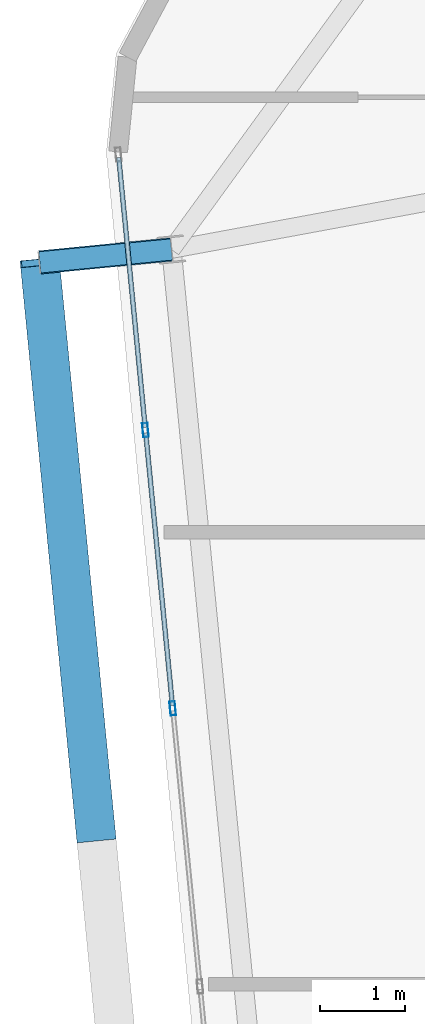
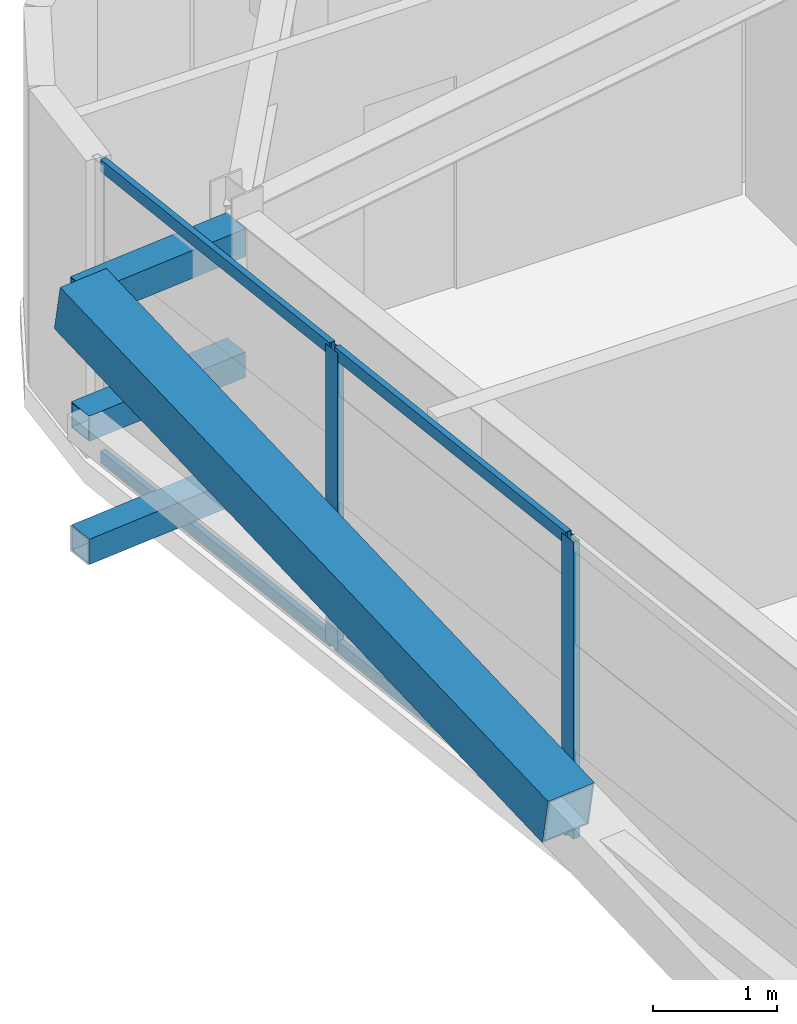
# One storey, part 15 of 53: 10 members, 1 element without a shape of its own.
"""IFC4 building model written with IfcOpenShell, lengths in metres."""

from ifc_helpers import new_model, si_unit, direction, frame, origin, origin_2d, place, context, subcontext, project, spatial, hollow_rectangle, extrude, source, transform, mapped, material, layer, layer_set, material_profile, profile_set, type_object, element, aggregate, save


model = new_model("IFC4")

# Units and contexts
model_context = context("Model", 3, precision=1e-05, world=origin(), true_north=direction((0.0, 1.0)))
body_context = subcontext(model_context, "Body", "Model", "MODEL_VIEW")
ifc_project = project(units=[si_unit("LENGTHUNIT", "METRE"), si_unit("AREAUNIT", "SQUARE_METRE"), si_unit("VOLUMEUNIT", "CUBIC_METRE"), si_unit("PLANEANGLEUNIT", "RADIAN"), si_unit("MASSUNIT", "GRAM", prefix="KILO")], contexts=[model_context])

# Site, building, storey
site_placement = place(None, origin())
site = spatial("IfcSite", under=ifc_project, at=site_placement, CompositionType="ELEMENT")
building_placement = place(site_placement, origin())
building = spatial("IfcBuilding", under=site, at=building_placement, Name="Taldren Reach Tower", CompositionType="ELEMENT")
storey_placement = place(building_placement, frame((0.0, 0.0, 71.39990234375)))
storey = spatial("IfcBuildingStorey", under=building, at=storey_placement, Name="L21", CompositionType="ELEMENT", Elevation=71.39990234375)

# Members
ifc_material_1 = material(Name="Steel Gr 450 (C450L0)", Category="steel")
ifc_material_profile_1 = material_profile(ifc_material_1, hollow_rectangle(XDim=0.27490234375, YDim=0.27490234375, WallThickness=0.00927734375, at=origin_2d()), Name="275x275x9.3SHS")
ifc_profile_set_1 = profile_set([ifc_material_profile_1], Name="Steel Gr 450 (C450L0)")
member_type_1 = type_object("IfcMemberType", Name="MB-TIE273", PredefinedType="STRUT", material=ifc_profile_set_1)
shared_shape_1 = source(origin(), body_context, "Body", "SweptSolid", [
    extrude(hollow_rectangle(XDim=0.27490234375, YDim=0.27490234375, WallThickness=0.00927734375, at=origin_2d()), origin(), (0.0, 0.0, 1.0), 1.550048828125),
])
member_1_placement = place(storey_placement, frame((8.808349609375, 30.116455078125, 2.650146484375), z_axis=(-0.9952210252, -0.097647892962, 0.0), x_axis=(0.097647892962, -0.9952210252, 0.0)))
element("IfcMember", 1, at=member_1_placement, inside=storey, type_object=member_type_1, Name="Exoskeleton diaphragm tie strut B2-W3 L21", PredefinedType="STRUT", context=body_context, shape_type="MappedRepresentation", body=[
    mapped(shared_shape_1, transform((0.0, 0.0, 0.0), scale=1.0)),
])
ifc_material_2 = material(Name="Steel Gr 350 (C350L0)", Category="steel")
ifc_material_profile_2 = material_profile(ifc_material_2, hollow_rectangle(XDim=0.25, YDim=0.25, WallThickness=0.010009765625, at=origin_2d()), Name="250x250x10.0SHS")
ifc_profile_set_2 = profile_set([ifc_material_profile_2], Name="Steel Gr 350 (C350L0)")
member_type_2 = type_object("IfcMemberType", Name="MB-POST250", PredefinedType="POST", material=ifc_profile_set_2)
shared_shape_2 = source(origin(), body_context, "Body", "SweptSolid", [
    extrude(hollow_rectangle(XDim=0.25, YDim=0.25, WallThickness=0.010009765625, at=origin_2d()), origin(), (0.0, 0.0, 1.0), 1.550048828125),
])
for number, where, z_axis, x_axis, name in (
    (2, (8.808349609375, 30.116455078125, 0.22021484375), (-0.9952210252, -0.097647892962, 0.0), (0.097647892962, -0.9952210252, 0.0), "Exoskeleton base diaphragm tie strut B2-W3 L21"),
    (3, (8.808349609375, 30.116455078125, 1.43505859375), (-0.9952210252, -0.097647892962, 0.0), (0.097647892962, -0.9952210252, 0.0), "Exoskeleton mid-tier diaphragm tie B2-W3 L21"),
):
    element("IfcMember", number, at=place(storey_placement, frame(where, z_axis=z_axis, x_axis=x_axis)), inside=storey, type_object=member_type_2, Name=name, PredefinedType="POST", context=body_context, shape_type="MappedRepresentation", body=[
        mapped(shared_shape_2, transform((0.0, 0.0, 0.0), scale=1.0)),
    ])
ifc_material_profile_3 = material_profile(ifc_material_1, hollow_rectangle(XDim=0.4599609375, YDim=0.4599609375, WallThickness=0.01611328125, at=origin_2d()), Name="460x460x16.0SHS")
ifc_profile_set_3 = profile_set([ifc_material_profile_3], Name="Steel Gr 450 (C450L0)")
member_type_3 = type_object("IfcMemberType", Name="MB-EXO457", PredefinedType="BRACE", material=ifc_profile_set_3)
shared_shape_3 = source(origin(), body_context, "Body", "SweptSolid", [
    extrude(hollow_rectangle(XDim=0.4599609375, YDim=0.4599609375, WallThickness=0.01611328125, at=origin_2d()), origin(), (0.0, 0.0, 1.0), 6.883056640625),
])
member_2_placement = place(storey_placement, frame((7.9267578125, 23.222412109375, 1.43505859375), z_axis=(-0.09605145821, 0.97959718347, 0.176531797456), x_axis=(-0.995227290009, -0.097584021339, 0.0)))
element("IfcMember", 4, at=member_2_placement, inside=storey, type_object=member_type_3, Name="Exoskeleton Diagrid Brace B2-W2 L21", PredefinedType="BRACE", context=body_context, shape_type="MappedRepresentation", body=[
    mapped(shared_shape_3, transform((0.0, 0.0, 0.0), scale=1.0)),
])

# Curtain wall, members
ifc_material_3 = material(Name="Aluminium and Low-E Glass Unitised System", Category="aluminium")
ifc_layer = layer(ifc_material_3, 0.159912109375)
ifc_layer_set = layer_set([ifc_layer], Name="Aluminium and Low-E Glass Unitised System")
curtain_wall_type = type_object("IfcCurtainWallType", Name="CW-SYS-3", PredefinedType="NOTDEFINED", material=ifc_layer_set)
curtain_wall_placement = place(storey_placement, origin())
curtain_wall = element("IfcCurtainWall", 5, at=curtain_wall_placement, inside=storey, type_object=curtain_wall_type, Name="Unitised curtain wall CW-L21-W", PredefinedType="NOTDEFINED")
ifc_material_4 = material(Name="Anodised Aluminium 6063-T6", Category="aluminium")
ifc_material_profile_4 = material_profile(ifc_material_4, hollow_rectangle(XDim=0.06494140625, YDim=0.1650390625, WallThickness=0.00390625, at=origin_2d()), Name="ALU-165x65x4RHS")
ifc_profile_set_4 = profile_set([ifc_material_profile_4], Name="Anodised Aluminium 6063-T6")
member_type_4 = type_object("IfcMemberType", Name="CW-MUL-165", PredefinedType="MULLION", material=ifc_profile_set_4)
shared_shape_4 = source(origin(), body_context, "Body", "SweptSolid", [
    extrude(hollow_rectangle(XDim=0.06494140625, YDim=0.1650390625, WallThickness=0.00390625, at=origin_2d()), origin(), (0.0, 0.0, 1.0), 2.93017578125),
])
member_3_placement = place(storey_placement, frame((8.50341796875, 27.998779296875, 0.0), z_axis=(0.0, 0.0, 1.0), x_axis=(0.99522741555, 0.09758274098, 0.0)))
member_3 = element("IfcMember", 6, at=member_3_placement, type_object=member_type_4, Name="CW-3 mullion 2", PredefinedType="MULLION", context=body_context, shape_type="MappedRepresentation", body=[
    mapped(shared_shape_4, transform((0.0, 0.0, 0.0), scale=1.0)),
])
member_4_placement = place(storey_placement, frame((8.8232421875, 24.736572265625, 0.0), z_axis=(0.0, 0.0, 1.0), x_axis=(0.99522741555, 0.09758274098, 0.0)))
member_4 = element("IfcMember", 7, at=member_4_placement, type_object=member_type_4, Name="CW-3 mullion 3", PredefinedType="MULLION", context=body_context, shape_type="MappedRepresentation", body=[
    mapped(shared_shape_4, transform((0.0, 0.0, 0.0), scale=1.0)),
])
ifc_material_profile_5 = material_profile(ifc_material_4, hollow_rectangle(XDim=0.054931640625, YDim=0.1201171875, WallThickness=0.0029296875, at=origin_2d()), Name="ALU-120x55x3RHS")
ifc_profile_set_5 = profile_set([ifc_material_profile_5], Name="Anodised Aluminium 6063-T6")
member_type_5 = type_object("IfcMemberType", Name="CW-TRN-135", PredefinedType="USERDEFINED", material=ifc_profile_set_5)
shared_shape_5 = source(origin(), body_context, "Body", "SweptSolid", [
    extrude(hollow_rectangle(XDim=0.054931640625, YDim=0.1201171875, WallThickness=0.0029296875, at=origin_2d()), origin(), (0.0, 0.0, 1.0), 3.18017578125),
])
member_5_placement = place(storey_placement, frame((8.18994140625, 31.1962890625, 0.027587890625), z_axis=(0.097572914968, -0.995228378949, 0.0), x_axis=(0.995228378949, 0.097572914968, 0.0)))
member_5 = element("IfcMember", 8, at=member_5_placement, type_object=member_type_5, Name="CW-3 transom 1.1", ObjectType="TRANSOM", PredefinedType="USERDEFINED", context=body_context, shape_type="MappedRepresentation", body=[
    mapped(shared_shape_5, transform((0.0, 0.0, 0.0), scale=1.0)),
])
member_6_placement = place(storey_placement, frame((8.18994140625, 31.1962890625, 2.902587890625), z_axis=(0.097572914968, -0.995228378949, 0.0), x_axis=(0.995228378949, 0.097572914968, 0.0)))
member_6 = element("IfcMember", 9, at=member_6_placement, type_object=member_type_5, Name="CW-3 transom 1.2", ObjectType="TRANSOM", PredefinedType="USERDEFINED", context=body_context, shape_type="MappedRepresentation", body=[
    mapped(shared_shape_5, transform((0.0, 0.0, 0.0), scale=1.0)),
])
shared_shape_6 = source(origin(), body_context, "Body", "SweptSolid", [
    extrude(hollow_rectangle(XDim=0.054931640625, YDim=0.1201171875, WallThickness=0.0029296875, at=origin_2d()), origin(), (0.0, 0.0, 1.0), 3.212890625),
])
member_7_placement = place(storey_placement, frame((8.506591796875, 27.966552734375, 0.027587890625), z_axis=(0.097569948235, -0.995228669805, 0.0), x_axis=(0.995228669805, 0.097569948235, 0.0)))
member_7 = element("IfcMember", 10, at=member_7_placement, type_object=member_type_5, Name="CW-3 transom 2.1", ObjectType="TRANSOM", PredefinedType="USERDEFINED", context=body_context, shape_type="MappedRepresentation", body=[
    mapped(shared_shape_6, transform((0.0, 0.0, 0.0), scale=1.0)),
])
member_8_placement = place(storey_placement, frame((8.506591796875, 27.966552734375, 2.902587890625), z_axis=(0.097569948235, -0.995228669805, 0.0), x_axis=(0.995228669805, 0.097569948235, 0.0)))
member_8 = element("IfcMember", 11, at=member_8_placement, type_object=member_type_5, Name="CW-3 transom 2.2", ObjectType="TRANSOM", PredefinedType="USERDEFINED", context=body_context, shape_type="MappedRepresentation", body=[
    mapped(shared_shape_6, transform((0.0, 0.0, 0.0), scale=1.0)),
])
aggregate(curtain_wall, [member_3, member_4, member_5, member_6, member_7, member_8])

save(model, "model.ifc")
